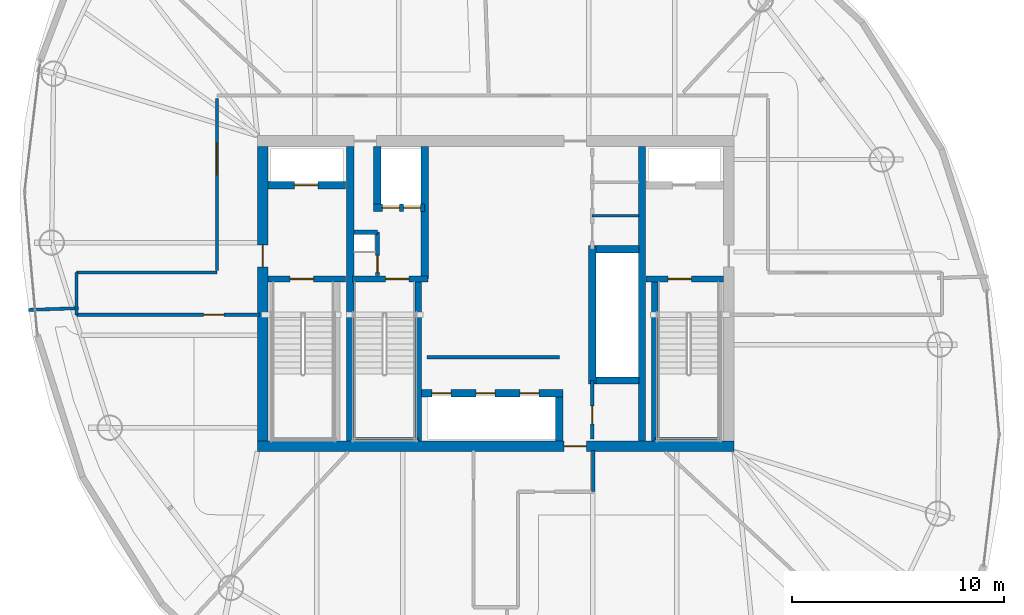
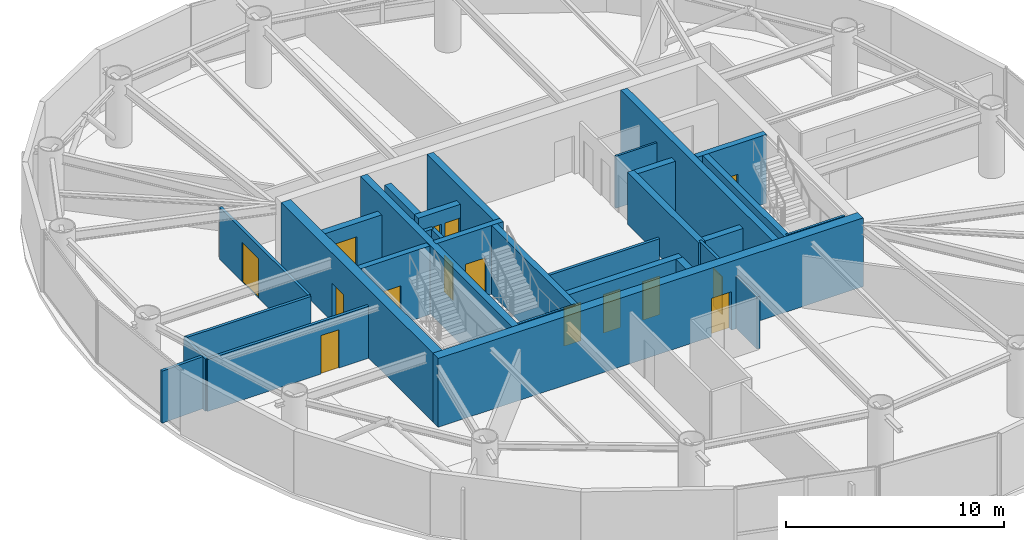
# One storey, part 13 of 18: 31 walls, 15 doors, 15 openings.
"""IFC4 building model written with IfcOpenShell, lengths in metres."""

from ifc_helpers import new_model, si_unit, direction, frame, frame_2d, origin, place, context, subcontext, project, spatial, rectangle, extrude, material, layer, layer_set, type_object, element, fill, save


model = new_model("IFC4")

# Units and contexts
model_context = context("Model", 3, precision=1e-05, world=origin(), true_north=direction((0.0, 1.0)))
body_context = subcontext(model_context, "Body", "Model", "MODEL_VIEW")
ifc_project = project(units=[si_unit("LENGTHUNIT", "METRE"), si_unit("AREAUNIT", "SQUARE_METRE"), si_unit("VOLUMEUNIT", "CUBIC_METRE"), si_unit("PLANEANGLEUNIT", "RADIAN"), si_unit("MASSUNIT", "GRAM", prefix="KILO")], contexts=[model_context])

# Site, building, storey
site_placement = place(None, origin())
site = spatial("IfcSite", under=ifc_project, at=site_placement, CompositionType="ELEMENT")
building_placement = place(site_placement, origin())
building = spatial("IfcBuilding", under=site, at=building_placement, Name="Bramvorn Convention Spire", CompositionType="ELEMENT")
storey_placement = place(building_placement, frame((0.0, 0.0, 232.800048828125)))
storey = spatial("IfcBuildingStorey", under=building, at=storey_placement, Name="L59", CompositionType="ELEMENT", Elevation=232.800048828125)

# Wall, opening, door
ifc_material_1 = material(Name="Concrete C50/60", Category="concrete")
ifc_layer_1 = layer(ifc_material_1, 0.5)
ifc_layer_set_1 = layer_set([ifc_layer_1], Name="Concrete C50/60 - WL-CORE-500")
wall_type_1 = type_object("IfcWallType", Name="WL-CORE-500", PredefinedType="SHEAR", material=ifc_layer_set_1)
wall_1_placement = place(storey_placement, frame((26.75, 18.800048828125, 0.0), z_axis=(0.0, 0.0, 1.0), x_axis=(1.0, 0.0, 0.0)))
wall_1 = element("IfcWall", 1, at=wall_1_placement, inside=storey, type_object=wall_type_1, Name="L59 South RC core shear wall", PredefinedType="SHEAR", context=body_context, shape_type="SweptSolid", body=[
    extrude(rectangle(XDim=22.5, YDim=0.5, at=frame_2d((11.25, 0.0))), origin(), (0.0, 0.0, 1.0), 3.849853515625),
])
opening_1_placement = place(wall_1_placement, frame((14.469970703125, 0.0, 0.0)))
opening_1 = element("IfcOpeningElement", 2, at=opening_1_placement, cuts=wall_1, Name="Opening DL-105", PredefinedType="OPENING", context=body_context, shape_type="SweptSolid", body=[
    extrude(rectangle(XDim=1.050048828125, YDim=2.14990234375, at=frame_2d((0.52490234375, 1.074951171875))), frame((0.0, 0.260009765625, 0.0), z_axis=(0.0, -1.0, 0.0), x_axis=(1.0, 0.0, 0.0)), (0.0, 0.0, 1.0), 0.52001953125),
])
ifc_material_2 = material(Name="Smoke-Sealed Fire Lobby Timber-Core Door", Category="wood")
door_type_1 = type_object("IfcDoorType", Name="DR-LOBBY-1050", OperationType="NOTDEFINED", PredefinedType="DOOR", material=ifc_material_2)
door_1_placement = place(opening_1_placement, origin())
door_1 = element("IfcDoor", 3, at=door_1_placement, inside=storey, type_object=door_type_1, Name="L59 South Lift Lobby fire door", OperationType="SINGLE_SWING_RIGHT", OverallHeight=2.14990234375, OverallWidth=1.050048828125, PredefinedType="DOOR", context=body_context, shape_type="SweptSolid", body=[
    extrude(rectangle(XDim=1.050048828125, YDim=2.14990234375, at=frame_2d((0.52490234375, 1.074951171875))), frame((0.0, 0.02490234375, 0.0), z_axis=(0.0, -1.0, 0.0), x_axis=(1.0, 0.0, 0.0)), (0.0, 0.0, 1.0), 0.050048828125),
])
fill(opening_1, door_1)

wall_2_placement = place(storey_placement, frame((27.0, 19.050048828125, 0.0), z_axis=(0.0, 0.0, 1.0), x_axis=(0.0, 1.0, 0.0)))
wall_2 = element("IfcWall", 4, at=wall_2_placement, inside=storey, type_object=wall_type_1, Name="L59 West RC core shear wall", PredefinedType="SHEAR", context=body_context, shape_type="SweptSolid", body=[
    extrude(rectangle(XDim=13.89990234375, YDim=0.5, at=frame_2d((6.949951171875, 0.0))), origin(), (0.0, 0.0, 1.0), 3.849853515625),
])
opening_2_placement = place(wall_2_placement, frame((8.199951171875, 0.0, 0.0)))
opening_2 = element("IfcOpeningElement", 5, at=opening_2_placement, cuts=wall_2, Name="Opening DL-105", PredefinedType="OPENING", context=body_context, shape_type="SweptSolid", body=[
    extrude(rectangle(XDim=1.050048828125, YDim=2.14990234375, at=frame_2d((0.52490234375, 1.074951171875))), frame((0.0, 0.260009765625, 0.0), z_axis=(0.0, -1.0, 0.0), x_axis=(1.0, 0.0, 0.0)), (0.0, 0.0, 1.0), 0.52001953125),
])
door_2_placement = place(opening_2_placement, origin())
door_2 = element("IfcDoor", 6, at=door_2_placement, inside=storey, type_object=door_type_1, Name="L59 West Firefighting Lobby corridor door", OperationType="SINGLE_SWING_RIGHT", OverallHeight=2.14990234375, OverallWidth=1.050048828125, PredefinedType="DOOR", context=body_context, shape_type="SweptSolid", body=[
    extrude(rectangle(XDim=1.050048828125, YDim=2.14990234375, at=frame_2d((0.52490234375, 1.074951171875))), frame((0.0, 0.02490234375, 0.0), z_axis=(0.0, -1.0, 0.0), x_axis=(1.0, 0.0, 0.0)), (0.0, 0.0, 1.0), 0.050048828125),
])
fill(opening_2, door_2)

# Walls
ifc_layer_2 = layer(ifc_material_1, 0.35009765625)
ifc_layer_set_2 = layer_set([ifc_layer_2], Name="Concrete C50/60 - WL-CORE-INT-350")
wall_type_2 = type_object("IfcWallType", Name="WL-CORE-INT-350", PredefinedType="SHEAR", material=ifc_layer_set_2)
for number, where, z_axis, x_axis, name in (
    (7, (31.1298828125, 19.050048828125, 0.0), (0.0, 0.0, 1.0), (0.0, 1.0, 0.0), "L59 West internal core shear web"),
    (8, (44.89990234375, 19.050048828125, 0.0), (0.0, 0.0, 1.0), (0.0, 1.0, 0.0), "L59 East internal core shear web"),
):
    element("IfcWall", number, at=place(storey_placement, frame(where, z_axis=z_axis, x_axis=x_axis)), inside=storey, type_object=wall_type_2, Name=name, PredefinedType="SHEAR", context=body_context, shape_type="SweptSolid", body=[
        extrude(rectangle(XDim=13.89990234375, YDim=0.35009765625, at=frame_2d((6.949951171875, 0.0))), origin(), (0.0, 0.0, 1.0), 3.849853515625),
    ])

# Wall, opening, door
wall_3_placement = place(storey_placement, frame((27.25, 31.1201171875, 0.0), z_axis=(0.0, 0.0, 1.0), x_axis=(1.0, 0.0, 0.0)))
wall_3 = element("IfcWall", 9, at=wall_3_placement, inside=storey, type_object=wall_type_2, Name="L59 FE1 shaft front wall", PredefinedType="SHEAR", context=body_context, shape_type="SweptSolid", body=[
    extrude(rectangle(XDim=3.669921875, YDim=0.35009765625, at=frame_2d((1.8349609375, 0.0))), origin(), (0.0, 0.0, 1.0), 2.9150390625),
])
opening_3_placement = place(wall_3_placement, frame((1.25, 0.0, 0.0)))
opening_3 = element("IfcOpeningElement", 10, at=opening_3_placement, cuts=wall_3, Name="Opening LD-110", PredefinedType="OPENING", context=body_context, shape_type="SweptSolid", body=[
    extrude(rectangle(XDim=1.10009765625, YDim=2.14990234375, at=frame_2d((0.550048828125, 1.074951171875))), frame((0.0, 0.18505859375, 0.0), z_axis=(0.0, -1.0, 0.0), x_axis=(1.0, 0.0, 0.0)), (0.0, 0.0, 1.0), 0.3701171875),
])
ifc_material_3 = material(Name="Firefighting & Service Lift Sliding Landing Door", Category="steel")
door_type_2 = type_object("IfcDoorType", Name="DR-LIFT-LD-1100", OperationType="NOTDEFINED", PredefinedType="DOOR", material=ifc_material_3)
door_3_placement = place(opening_3_placement, origin())
door_3 = element("IfcDoor", 11, at=door_3_placement, inside=storey, type_object=door_type_2, Name="L59 Lift FE1 Sliding Landing Door", OperationType="SLIDING_TO_LEFT", OverallHeight=2.14990234375, OverallWidth=1.10009765625, PredefinedType="DOOR", context=body_context, shape_type="SweptSolid", body=[
    extrude(rectangle(XDim=1.10009765625, YDim=2.14990234375, at=frame_2d((0.550048828125, 1.074951171875))), frame((0.0, 0.02490234375, 0.0), z_axis=(0.0, -1.0, 0.0), x_axis=(1.0, 0.0, 0.0)), (0.0, 0.0, 1.0), 0.050048828125),
])
fill(opening_3, door_3)

# Wall
wall_4_placement = place(storey_placement, frame((34.639892578125, 26.68994140625, 0.0), z_axis=(0.0, 0.0, 1.0), x_axis=(0.0, 1.0, 0.0)))
element("IfcWall", 12, at=wall_4_placement, inside=storey, type_object=wall_type_2, Name="L59 SV east core shaft wall", PredefinedType="SHEAR", context=body_context, shape_type="SweptSolid", body=[
    extrude(rectangle(XDim=6.260009765625, YDim=0.35009765625, at=frame_2d((3.1298828125, 0.0))), origin(), (0.0, 0.0, 1.0), 3.849853515625),
])

# Wall, openings, doors
wall_5_placement = place(storey_placement, frame((32.22998046875, 30.050048828125, 0.0), z_axis=(0.0, 0.0, 1.0), x_axis=(1.0, 0.0, 0.0)))
wall_5 = element("IfcWall", 13, at=wall_5_placement, inside=storey, type_object=wall_type_2, Name="L59 SV1/SV2 shaft front wall", PredefinedType="SHEAR", context=body_context, shape_type="SweptSolid", body=[
    extrude(rectangle(XDim=2.409912109375, YDim=0.35009765625, at=frame_2d((1.205078125, 0.0))), origin(), (0.0, 0.0, 1.0), 2.9150390625),
])
opening_4_placement = place(wall_5_placement, frame((0.419921875, 0.0, 0.0)))
opening_4 = element("IfcOpeningElement", 14, at=opening_4_placement, cuts=wall_5, Name="Opening LD-080", PredefinedType="OPENING", context=body_context, shape_type="SweptSolid", body=[
    extrude(rectangle(XDim=0.800048828125, YDim=2.14990234375, at=frame_2d((0.39990234375, 1.074951171875))), frame((0.0, 0.18505859375, 0.0), z_axis=(0.0, -1.0, 0.0), x_axis=(1.0, 0.0, 0.0)), (0.0, 0.0, 1.0), 0.3701171875),
])
opening_5_placement = place(wall_5_placement, frame((1.419921875, 0.0, 0.0)))
opening_5 = element("IfcOpeningElement", 15, at=opening_5_placement, cuts=wall_5, Name="Opening LD-080", PredefinedType="OPENING", context=body_context, shape_type="SweptSolid", body=[
    extrude(rectangle(XDim=0.800048828125, YDim=2.14990234375, at=frame_2d((0.39990234375, 1.074951171875))), frame((0.0, 0.18505859375, 0.0), z_axis=(0.0, -1.0, 0.0), x_axis=(1.0, 0.0, 0.0)), (0.0, 0.0, 1.0), 0.3701171875),
])
ifc_material_4 = material(Name="Service Lift Bi-Parting Landing Door", Category="steel")
door_type_3 = type_object("IfcDoorType", Name="DR-LIFT-LD-800", OperationType="NOTDEFINED", PredefinedType="DOOR", material=ifc_material_4)
door_4_placement = place(opening_4_placement, origin())
door_4 = element("IfcDoor", 16, at=door_4_placement, inside=storey, type_object=door_type_3, Name="L59 Lift SV1 Sliding Landing Door", OperationType="SLIDING_TO_LEFT", OverallHeight=2.14990234375, OverallWidth=0.800048828125, PredefinedType="DOOR", context=body_context, shape_type="SweptSolid", body=[
    extrude(rectangle(XDim=0.800048828125, YDim=2.14990234375, at=frame_2d((0.39990234375, 1.074951171875))), frame((0.0, 0.02490234375, 0.0), z_axis=(0.0, -1.0, 0.0), x_axis=(1.0, 0.0, 0.0)), (0.0, 0.0, 1.0), 0.050048828125),
])
fill(opening_4, door_4)
door_5_placement = place(opening_5_placement, origin())
door_5 = element("IfcDoor", 17, at=door_5_placement, inside=storey, type_object=door_type_3, Name="L59 Lift SV2 Sliding Landing Door", OperationType="SLIDING_TO_LEFT", OverallHeight=2.14990234375, OverallWidth=0.800048828125, PredefinedType="DOOR", context=body_context, shape_type="SweptSolid", body=[
    extrude(rectangle(XDim=0.800048828125, YDim=2.14990234375, at=frame_2d((0.39990234375, 1.074951171875))), frame((0.0, 0.02490234375, 0.0), z_axis=(0.0, -1.0, 0.0), x_axis=(1.0, 0.0, 0.0)), (0.0, 0.0, 1.0), 0.050048828125),
])
fill(opening_5, door_5)

# Walls
wall_6_placement = place(storey_placement, frame((32.39990234375, 30.219970703125, 0.0), z_axis=(0.0, 0.0, 1.0), x_axis=(0.0, 1.0, 0.0)))
element("IfcWall", 18, at=wall_6_placement, inside=storey, type_object=wall_type_2, Name="L59 SV1 west hoistway wall", PredefinedType="SHEAR", context=body_context, shape_type="SweptSolid", body=[
    extrude(rectangle(XDim=2.72998046875, YDim=0.35009765625, at=frame_2d((1.364990234375, 0.0))), origin(), (0.0, 0.0, 1.0), 2.9150390625),
])
wall_7_placement = place(storey_placement, frame((42.550048828125, 21.72998046875, 0.0), z_axis=(0.0, 0.0, 1.0), x_axis=(0.0, 1.0, 0.0)))
element("IfcWall", 19, at=wall_7_placement, inside=storey, type_object=wall_type_2, Name="L59 High-rise lift bank west wall", PredefinedType="SHEAR", context=body_context, shape_type="SweptSolid", body=[
    extrude(rectangle(XDim=6.5400390625, YDim=0.35009765625, at=frame_2d((3.27001953125, 0.0))), origin(), (0.0, 0.0, 1.0), 2.9150390625),
])
for number, where, z_axis, x_axis, name in (
    (20, (42.719970703125, 21.89990234375, 0.0), (0.0, 0.0, 1.0), (1.0, 0.0, 0.0), "L59 High-rise lift bank south wall"),
    (21, (42.719970703125, 28.10009765625, 0.0), (0.0, 0.0, 1.0), (1.0, 0.0, 0.0), "L59 High-rise lift bank north wall"),
):
    element("IfcWall", number, at=place(storey_placement, frame(where, z_axis=z_axis, x_axis=x_axis)), inside=storey, type_object=wall_type_2, Name=name, PredefinedType="SHEAR", context=body_context, shape_type="SweptSolid", body=[
        extrude(rectangle(XDim=2.030029296875, YDim=0.35009765625, at=frame_2d((1.01513671875, 0.0))), origin(), (0.0, 0.0, 1.0), 2.9150390625),
    ])

# Wall, openings, doors
wall_8_placement = place(storey_placement, frame((34.489990234375, 21.300048828125, 0.0), z_axis=(0.0, 0.0, 1.0), x_axis=(1.0, 0.0, 0.0)))
wall_8 = element("IfcWall", 22, at=wall_8_placement, inside=storey, type_object=wall_type_2, Name="L59 Mid-rise bank north landing wall", PredefinedType="SHEAR", context=body_context, shape_type="SweptSolid", body=[
    extrude(rectangle(XDim=6.679931640625, YDim=0.35009765625, at=frame_2d((3.33984375, 0.0))), origin(), (0.0, 0.0, 1.0), 2.9150390625),
])
opening_6_placement = place(wall_8_placement, frame((0.5, 0.0, 0.0)))
opening_6 = element("IfcOpeningElement", 23, at=opening_6_placement, cuts=wall_8, Name="Opening LD-090", PredefinedType="OPENING", context=body_context, shape_type="SweptSolid", body=[
    extrude(rectangle(XDim=0.89990234375, YDim=2.14990234375, at=frame_2d((0.449951171875, 1.074951171875))), frame((0.0, 0.18505859375, 0.0), z_axis=(0.0, -1.0, 0.0), x_axis=(1.0, 0.0, 0.0)), (0.0, 0.0, 1.0), 0.3701171875),
])
opening_7_placement = place(wall_8_placement, frame((2.580078125, 0.0, 0.0)))
opening_7 = element("IfcOpeningElement", 24, at=opening_7_placement, cuts=wall_8, Name="Opening LD-090", PredefinedType="OPENING", context=body_context, shape_type="SweptSolid", body=[
    extrude(rectangle(XDim=0.89990234375, YDim=2.14990234375, at=frame_2d((0.449951171875, 1.074951171875))), frame((0.0, 0.18505859375, 0.0), z_axis=(0.0, -1.0, 0.0), x_axis=(1.0, 0.0, 0.0)), (0.0, 0.0, 1.0), 0.3701171875),
])
opening_8_placement = place(wall_8_placement, frame((4.659912109375, 0.0, 0.0)))
opening_8 = element("IfcOpeningElement", 25, at=opening_8_placement, cuts=wall_8, Name="Opening LD-090", PredefinedType="OPENING", context=body_context, shape_type="SweptSolid", body=[
    extrude(rectangle(XDim=0.89990234375, YDim=2.14990234375, at=frame_2d((0.449951171875, 1.074951171875))), frame((0.0, 0.18505859375, 0.0), z_axis=(0.0, -1.0, 0.0), x_axis=(1.0, 0.0, 0.0)), (0.0, 0.0, 1.0), 0.3701171875),
])
ifc_material_5 = material(Name="Bi-Parting Fire-Rated Lift Landing Door", Category="steel")
door_type_4 = type_object("IfcDoorType", Name="DR-LIFT-LD-900", OperationType="NOTDEFINED", PredefinedType="DOOR", material=ifc_material_5)
door_6_placement = place(opening_6_placement, origin())
door_6 = element("IfcDoor", 26, at=door_6_placement, inside=storey, type_object=door_type_4, Name="L59 Lift PM1 Sliding Landing Door", OperationType="SLIDING_TO_LEFT", OverallHeight=2.14990234375, OverallWidth=0.89990234375, PredefinedType="DOOR", context=body_context, shape_type="SweptSolid", body=[
    extrude(rectangle(XDim=0.89990234375, YDim=2.14990234375, at=frame_2d((0.449951171875, 1.074951171875))), frame((0.0, 0.02490234375, 0.0), z_axis=(0.0, -1.0, 0.0), x_axis=(1.0, 0.0, 0.0)), (0.0, 0.0, 1.0), 0.050048828125),
])
fill(opening_6, door_6)
door_7_placement = place(opening_7_placement, origin())
door_7 = element("IfcDoor", 27, at=door_7_placement, inside=storey, type_object=door_type_4, Name="L59 Lift PM2 Sliding Landing Door", OperationType="SLIDING_TO_LEFT", OverallHeight=2.14990234375, OverallWidth=0.89990234375, PredefinedType="DOOR", context=body_context, shape_type="SweptSolid", body=[
    extrude(rectangle(XDim=0.89990234375, YDim=2.14990234375, at=frame_2d((0.449951171875, 1.074951171875))), frame((0.0, 0.02490234375, 0.0), z_axis=(0.0, -1.0, 0.0), x_axis=(1.0, 0.0, 0.0)), (0.0, 0.0, 1.0), 0.050048828125),
])
fill(opening_7, door_7)
door_8_placement = place(opening_8_placement, origin())
door_8 = element("IfcDoor", 28, at=door_8_placement, inside=storey, type_object=door_type_4, Name="L59 Lift PM3 Sliding Landing Door", OperationType="SLIDING_TO_LEFT", OverallHeight=2.14990234375, OverallWidth=0.89990234375, PredefinedType="DOOR", context=body_context, shape_type="SweptSolid", body=[
    extrude(rectangle(XDim=0.89990234375, YDim=2.14990234375, at=frame_2d((0.449951171875, 1.074951171875))), frame((0.0, 0.02490234375, 0.0), z_axis=(0.0, -1.0, 0.0), x_axis=(1.0, 0.0, 0.0)), (0.0, 0.0, 1.0), 0.050048828125),
])
fill(opening_8, door_8)

# Walls
wall_9_placement = place(storey_placement, frame((41.0, 19.050048828125, 0.0), z_axis=(0.0, 0.0, 1.0), x_axis=(0.0, 1.0, 0.0)))
element("IfcWall", 29, at=wall_9_placement, inside=storey, type_object=wall_type_2, Name="L59 Mid-rise bank east cheek wall", PredefinedType="SHEAR", context=body_context, shape_type="SweptSolid", body=[
    extrude(rectangle(XDim=2.079833984375, YDim=0.35009765625, at=frame_2d((1.0400390625, 0.0))), origin(), (0.0, 0.0, 1.0), 2.9150390625),
])
ifc_material_6 = material(Name="Lightweight En-Suite & Wet-Wall Partition", Category="gypsum")
ifc_layer_3 = layer(ifc_material_6, 0.110107421875)
ifc_layer_set_3 = layer_set([ifc_layer_3], Name="Lightweight En-Suite & Wet-Wall Partition - WL-PART-110")
wall_type_3 = type_object("IfcWallType", Name="WL-PART-110", PredefinedType="PARTITIONING", material=ifc_layer_set_3)
wall_10_placement = place(storey_placement, frame((42.550048828125, 29.679931640625, 0.0), z_axis=(0.0, 0.0, 1.0), x_axis=(1.0, 0.0, 0.0)))
element("IfcWall", 30, at=wall_10_placement, inside=storey, type_object=wall_type_3, Name="L59 KC NE div 1", PredefinedType="PARTITIONING", context=body_context, shape_type="SweptSolid", body=[
    extrude(rectangle(XDim=2.199951171875, YDim=0.110107421875, at=frame_2d((1.10009765625, 0.0))), origin(), (0.0, 0.0, 1.0), 2.9150390625),
])
ifc_material_7 = material(Name="Acoustic Metal-Stud Tenant/Corridor Partition", Category="gypsum")
ifc_layer_4 = layer(ifc_material_7, 0.14990234375)
ifc_layer_set_4 = layer_set([ifc_layer_4], Name="Acoustic Metal-Stud Tenant/Corridor Partition - WL-PART-150")
wall_type_4 = type_object("IfcWallType", Name="WL-PART-150", PredefinedType="PARTITIONING", material=ifc_layer_set_4)
wall_11_placement = place(storey_placement, frame((34.75, 23.0, 0.0), z_axis=(0.0, 0.0, 1.0), x_axis=(1.0, 0.0, 0.0)))
element("IfcWall", 31, at=wall_11_placement, inside=storey, type_object=wall_type_4, Name="L59 Mid-rise lift vestibule north wall", PredefinedType="PARTITIONING", context=body_context, shape_type="SweptSolid", body=[
    extrude(rectangle(XDim=6.25, YDim=0.14990234375, at=frame_2d((3.125, 0.0))), origin(), (0.0, 0.0, 1.0), 2.9150390625),
])

# Wall, opening, door
wall_12_placement = place(storey_placement, frame((42.550048828125, 19.14990234375, 0.0), z_axis=(0.0, 0.0, 1.0), x_axis=(0.0, 1.0, 0.0)))
wall_12 = element("IfcWall", 32, at=wall_12_placement, inside=storey, type_object=wall_type_4, Name="L59 KC SE wall", PredefinedType="PARTITIONING", context=body_context, shape_type="SweptSolid", body=[
    extrude(rectangle(XDim=2.75, YDim=0.14990234375, at=frame_2d((1.375, 0.0))), origin(), (0.0, 0.0, 1.0), 2.9150390625),
])
opening_9_placement = place(wall_12_placement, frame((0.699951171875, 0.0, 0.0)))
opening_9 = element("IfcOpeningElement", 33, at=opening_9_placement, cuts=wall_12, Name="Opening DC-085", PredefinedType="OPENING", context=body_context, shape_type="SweptSolid", body=[
    extrude(rectangle(XDim=0.85009765625, YDim=2.10009765625, at=frame_2d((0.425048828125, 1.050048828125))), frame((0.0, 0.0849609375, 0.0), z_axis=(0.0, -1.0, 0.0), x_axis=(1.0, 0.0, 0.0)), (0.0, 0.0, 1.0), 0.169921875),
])
ifc_material_8 = material(Name="Fire-Rated Core Washroom & IDF Door", Category="wood")
door_type_5 = type_object("IfcDoorType", Name="DR-CORE-850", OperationType="NOTDEFINED", PredefinedType="DOOR", material=ifc_material_8)
door_9_placement = place(opening_9_placement, origin())
door_9 = element("IfcDoor", 34, at=door_9_placement, inside=storey, type_object=door_type_5, Name="L59 Core Valve & Riser Room door", OperationType="SINGLE_SWING_LEFT", OverallHeight=2.10009765625, OverallWidth=0.85009765625, PredefinedType="DOOR", context=body_context, shape_type="SweptSolid", body=[
    extrude(rectangle(XDim=0.85009765625, YDim=2.10009765625, at=frame_2d((0.425048828125, 1.050048828125))), frame((0.0, 0.02490234375, 0.0), z_axis=(0.0, -1.0, 0.0), x_axis=(1.0, 0.0, 0.0)), (0.0, 0.0, 1.0), 0.050048828125),
])
fill(opening_9, door_9)

wall_13_placement = place(storey_placement, frame((24.85009765625, 27.080078125, 0.0), z_axis=(0.0, 0.0, 1.0), x_axis=(0.0, 1.0, 0.0)))
wall_13 = element("IfcWall", 35, at=wall_13_placement, inside=storey, type_object=wall_type_4, Name="L59 NW gallery cheek", PredefinedType="PARTITIONING", context=body_context, shape_type="SweptSolid", body=[
    extrude(rectangle(XDim=8.119873046875, YDim=0.14990234375, at=frame_2d((4.06005859375, 0.0))), origin(), (0.0, 0.0, 1.0), 2.9150390625),
])
opening_10_placement = place(wall_13_placement, frame((4.528076171875, 0.0, 0.0)))
opening_10 = element("IfcOpeningElement", 36, at=opening_10_placement, cuts=wall_13, Name="Opening DC-150", PredefinedType="OPENING", context=body_context, shape_type="SweptSolid", body=[
    extrude(rectangle(XDim=1.5, YDim=2.199951171875, at=frame_2d((0.75, 1.10009765625))), frame((0.0, 0.0849609375, 0.0), z_axis=(0.0, -1.0, 0.0), x_axis=(1.0, 0.0, 0.0)), (0.0, 0.0, 1.0), 0.169921875),
])
ifc_material_9 = material(Name="Double-Leaf Smoke-Control Corridor Door", Category="wood")
door_type_6 = type_object("IfcDoorType", Name="DR-COR-1500", OperationType="NOTDEFINED", PredefinedType="DOOR", material=ifc_material_9)
door_10_placement = place(opening_10_placement, origin())
door_10 = element("IfcDoor", 37, at=door_10_placement, inside=storey, type_object=door_type_6, Name="L59 Trader Dining Cafe 2 4 door", OperationType="DOUBLE_DOOR_SINGLE_SWING", OverallHeight=2.199951171875, OverallWidth=1.5, PredefinedType="DOOR", context=body_context, shape_type="SweptSolid", body=[
    extrude(rectangle(XDim=1.5, YDim=2.199951171875, at=frame_2d((0.75, 1.10009765625))), frame((0.0, 0.02490234375, 0.0), z_axis=(0.0, -1.0, 0.0), x_axis=(1.0, 0.0, 0.0)), (0.0, 0.0, 1.0), 0.050048828125),
])
fill(opening_10, door_10)

# Wall
wall_14_placement = place(storey_placement, frame((18.21630859375, 27.0, 0.0), z_axis=(0.0, 0.0, 1.0), x_axis=(1.0, 0.0, 0.0)))
element("IfcWall", 38, at=wall_14_placement, inside=storey, type_object=wall_type_4, Name="L59 West wing spine north wall", PredefinedType="PARTITIONING", context=body_context, shape_type="SweptSolid", body=[
    extrude(rectangle(XDim=6.6337890625, YDim=0.14990234375, at=frame_2d((3.31689453125, 0.0))), origin(), (0.0, 0.0, 1.0), 2.9150390625),
])

# Wall, opening, door
wall_15_placement = place(storey_placement, frame((18.21630859375, 25.0, 0.0), z_axis=(0.0, 0.0, 1.0), x_axis=(1.0, 0.0, 0.0)))
wall_15 = element("IfcWall", 39, at=wall_15_placement, inside=storey, type_object=wall_type_4, Name="L59 West wing spine south wall", PredefinedType="PARTITIONING", context=body_context, shape_type="SweptSolid", body=[
    extrude(rectangle(XDim=8.6337890625, YDim=0.14990234375, at=frame_2d((4.31689453125, 0.0))), origin(), (0.0, 0.0, 1.0), 2.9150390625),
])
opening_11_placement = place(wall_15_placement, frame((6.000244140625, 0.0, 0.0)))
opening_11 = element("IfcOpeningElement", 40, at=opening_11_placement, cuts=wall_15, Name="Opening DH-095", PredefinedType="OPENING", context=body_context, shape_type="SweptSolid", body=[
    extrude(rectangle(XDim=0.949951171875, YDim=2.14990234375, at=frame_2d((0.47509765625, 1.074951171875))), frame((0.0, 0.0849609375, 0.0), z_axis=(0.0, -1.0, 0.0), x_axis=(1.0, 0.0, 0.0)), (0.0, 0.0, 1.0), 0.169921875),
])
ifc_material_10 = material(Name="Solid-Core Acoustic Guestroom Entry Door", Category="wood")
door_type_7 = type_object("IfcDoorType", Name="DR-HOTEL-950", OperationType="NOTDEFINED", PredefinedType="DOOR", material=ifc_material_10)
door_11_placement = place(opening_11_placement, origin())
door_11 = element("IfcDoor", 41, at=door_11_placement, inside=storey, type_object=door_type_7, Name="L59 Galley Kitchen 5 door", OperationType="SINGLE_SWING_LEFT", OverallHeight=2.14990234375, OverallWidth=0.949951171875, PredefinedType="DOOR", context=body_context, shape_type="SweptSolid", body=[
    extrude(rectangle(XDim=0.949951171875, YDim=2.14990234375, at=frame_2d((0.47509765625, 1.074951171875))), frame((0.0, 0.02490234375, 0.0), z_axis=(0.0, -1.0, 0.0), x_axis=(1.0, 0.0, 0.0)), (0.0, 0.0, 1.0), 0.050048828125),
])
fill(opening_11, door_11)

# Walls
wall_16_placement = place(storey_placement, frame((18.21630859375, 25.0, 0.0), z_axis=(0.0, 0.0, 1.0), x_axis=(0.0, 1.0, 0.0)))
element("IfcWall", 42, at=wall_16_placement, inside=storey, type_object=wall_type_4, Name="L59 West wing spine end wall", PredefinedType="PARTITIONING", context=body_context, shape_type="SweptSolid", body=[
    extrude(rectangle(XDim=2.0, YDim=0.14990234375, at=frame_2d((1.0, 0.0))), origin(), (0.0, 0.0, 1.0), 2.9150390625),
])
wall_17_placement = place(storey_placement, frame((42.60009765625, 16.64990234375, 0.0), z_axis=(0.0, 0.0, 1.0), x_axis=(0.0, 1.0, 0.0)))
element("IfcWall", 43, at=wall_17_placement, inside=storey, type_object=wall_type_4, Name="L59 South lift lobby east cheek", PredefinedType="PARTITIONING", context=body_context, shape_type="SweptSolid", body=[
    extrude(rectangle(XDim=1.9501953125, YDim=0.14990234375, at=frame_2d((0.97509765625, 0.0))), origin(), (0.0, 0.0, 1.0), 2.9150390625),
])
wall_18_placement = place(storey_placement, frame((18.3134765625, 25.3125, 0.0), z_axis=(0.0, 0.0, 1.0), x_axis=(-0.999389861653, -0.034927130217, 0.0)))
element("IfcWall", 44, at=wall_18_placement, inside=storey, type_object=wall_type_4, Name="L59 Tenant suite partition 5", PredefinedType="PARTITIONING", context=body_context, shape_type="SweptSolid", body=[
    extrude(rectangle(XDim=2.36962890625, YDim=0.14990234375, at=frame_2d((1.184814453125, 0.0))), origin(), (0.0, 0.0, 1.0), 2.9150390625),
])

# Wall, opening, door
ifc_material_11 = material(Name="Gypsum Shaftwall & Rockwool Core Partition", Category="gypsum")
ifc_layer_5 = layer(ifc_material_11, 0.199951171875)
ifc_layer_set_5 = layer_set([ifc_layer_5], Name="Gypsum Shaftwall & Rockwool Core Partition - WL-PART-200-FR")
wall_type_5 = type_object("IfcWallType", Name="WL-PART-200-FR", PredefinedType="PARTITIONING", material=ifc_layer_set_5)
wall_19_placement = place(storey_placement, frame((32.419921875, 26.860107421875, 0.0), z_axis=(0.0, 0.0, 1.0), x_axis=(0.0, 1.0, 0.0)))
wall_19 = element("IfcWall", 45, at=wall_19_placement, inside=storey, type_object=wall_type_5, Name="L59 Telecom riser east wall", PredefinedType="PARTITIONING", context=body_context, shape_type="SweptSolid", body=[
    extrude(rectangle(XDim=2.039794921875, YDim=0.199951171875, at=frame_2d((1.02001953125, 0.0))), origin(), (0.0, 0.0, 1.0), 2.9150390625),
])
opening_12_placement = place(wall_19_placement, frame((0.139892578125, 0.0, 0.0)))
opening_12 = element("IfcOpeningElement", 46, at=opening_12_placement, cuts=wall_19, Name="Opening DR-080", PredefinedType="OPENING", context=body_context, shape_type="SweptSolid", body=[
    extrude(rectangle(XDim=0.800048828125, YDim=2.050048828125, at=frame_2d((0.39990234375, 1.02490234375))), frame((0.0, 0.10986328125, 0.0), z_axis=(0.0, -1.0, 0.0), x_axis=(1.0, 0.0, 0.0)), (0.0, 0.0, 1.0), 0.219970703125),
])
ifc_material_12 = material(Name="Flush Steel Riser Access Door", Category="steel")
door_type_8 = type_object("IfcDoorType", Name="DR-RISER-800", OperationType="NOTDEFINED", PredefinedType="DOOR", material=ifc_material_12)
door_12_placement = place(opening_12_placement, origin())
door_12 = element("IfcDoor", 47, at=door_12_placement, inside=storey, type_object=door_type_8, Name="L59 Telecom riser access door", OperationType="SINGLE_SWING_RIGHT", OverallHeight=2.050048828125, OverallWidth=0.800048828125, PredefinedType="DOOR", context=body_context, shape_type="SweptSolid", body=[
    extrude(rectangle(XDim=0.800048828125, YDim=2.050048828125, at=frame_2d((0.39990234375, 1.02490234375))), frame((0.0, 0.02490234375, 0.0), z_axis=(0.0, -1.0, 0.0), x_axis=(1.0, 0.0, 0.0)), (0.0, 0.0, 1.0), 0.050048828125),
])
fill(opening_12, door_12)

# Wall
wall_20_placement = place(storey_placement, frame((31.300048828125, 28.89990234375, 0.0), z_axis=(0.0, 0.0, 1.0), x_axis=(1.0, 0.0, 0.0)))
element("IfcWall", 48, at=wall_20_placement, inside=storey, type_object=wall_type_5, Name="L59 Telecom riser north wall", PredefinedType="PARTITIONING", context=body_context, shape_type="SweptSolid", body=[
    extrude(rectangle(XDim=1.119873046875, YDim=0.199951171875, at=frame_2d((0.56005859375, 0.0))), origin(), (0.0, 0.0, 1.0), 2.9150390625),
])

# Wall, opening, door
ifc_layer_6 = layer(ifc_material_1, 0.300048828125)
ifc_layer_set_6 = layer_set([ifc_layer_6], Name="Concrete C50/60 - WL-POD-STAIR-300")
wall_type_6 = type_object("IfcWallType", Name="WL-POD-STAIR-300", PredefinedType="SHEAR", material=ifc_layer_set_6)
wall_21_placement = place(storey_placement, frame((27.25, 26.68994140625, 0.0), z_axis=(0.0, 0.0, 1.0), x_axis=(1.0, 0.0, 0.0)))
wall_21 = element("IfcWall", 49, at=wall_21_placement, inside=storey, type_object=wall_type_6, Name="L59 ST1 north fire wall", PredefinedType="SHEAR", context=body_context, shape_type="SweptSolid", body=[
    extrude(rectangle(XDim=3.669921875, YDim=0.300048828125, at=frame_2d((1.8349609375, 0.0))), origin(), (0.0, 0.0, 1.0), 3.849853515625),
])
opening_13_placement = place(wall_21_placement, frame((1.050048828125, 0.0, 0.0)))
opening_13 = element("IfcOpeningElement", 50, at=opening_13_placement, cuts=wall_21, Name="Opening DS-110", PredefinedType="OPENING", context=body_context, shape_type="SweptSolid", body=[
    extrude(rectangle(XDim=1.10009765625, YDim=2.14990234375, at=frame_2d((0.550048828125, 1.074951171875))), frame((0.0, 0.159912109375, 0.0), z_axis=(0.0, -1.0, 0.0), x_axis=(1.0, 0.0, 0.0)), (0.0, 0.0, 1.0), 0.320068359375),
])
ifc_material_13 = material(Name="Fire-Rated Hollow Steel Stairwell Door", Category="steel")
door_type_9 = type_object("IfcDoorType", Name="DR-STAIR-1100", OperationType="NOTDEFINED", PredefinedType="DOOR", material=ifc_material_13)
door_13_placement = place(opening_13_placement, origin())
door_13 = element("IfcDoor", 51, at=door_13_placement, inside=storey, type_object=door_type_9, Name="L59 Stair ST1 fire door", OperationType="SINGLE_SWING_LEFT", OverallHeight=2.14990234375, OverallWidth=1.10009765625, PredefinedType="DOOR", context=body_context, shape_type="SweptSolid", body=[
    extrude(rectangle(XDim=1.10009765625, YDim=2.14990234375, at=frame_2d((0.550048828125, 1.074951171875))), frame((0.0, 0.02490234375, 0.0), z_axis=(0.0, -1.0, 0.0), x_axis=(1.0, 0.0, 0.0)), (0.0, 0.0, 1.0), 0.050048828125),
])
fill(opening_13, door_13)

wall_22_placement = place(storey_placement, frame((45.080078125, 26.68994140625, 0.0), z_axis=(0.0, 0.0, 1.0), x_axis=(1.0, 0.0, 0.0)))
wall_22 = element("IfcWall", 52, at=wall_22_placement, inside=storey, type_object=wall_type_6, Name="L59 ST2 north fire wall", PredefinedType="SHEAR", context=body_context, shape_type="SweptSolid", body=[
    extrude(rectangle(XDim=3.669921875, YDim=0.300048828125, at=frame_2d((1.8349609375, 0.0))), origin(), (0.0, 0.0, 1.0), 3.849853515625),
])
opening_14_placement = place(wall_22_placement, frame((1.050048828125, 0.0, 0.0)))
opening_14 = element("IfcOpeningElement", 53, at=opening_14_placement, cuts=wall_22, Name="Opening DS-110", PredefinedType="OPENING", context=body_context, shape_type="SweptSolid", body=[
    extrude(rectangle(XDim=1.10009765625, YDim=2.14990234375, at=frame_2d((0.550048828125, 1.074951171875))), frame((0.0, 0.159912109375, 0.0), z_axis=(0.0, -1.0, 0.0), x_axis=(1.0, 0.0, 0.0)), (0.0, 0.0, 1.0), 0.320068359375),
])
door_14_placement = place(opening_14_placement, origin())
door_14 = element("IfcDoor", 54, at=door_14_placement, inside=storey, type_object=door_type_9, Name="L59 Stair ST2 fire door", OperationType="SINGLE_SWING_RIGHT", OverallHeight=2.14990234375, OverallWidth=1.10009765625, PredefinedType="DOOR", context=body_context, shape_type="SweptSolid", body=[
    extrude(rectangle(XDim=1.10009765625, YDim=2.14990234375, at=frame_2d((0.550048828125, 1.074951171875))), frame((0.0, 0.02490234375, 0.0), z_axis=(0.0, -1.0, 0.0), x_axis=(1.0, 0.0, 0.0)), (0.0, 0.0, 1.0), 0.050048828125),
])
fill(opening_14, door_14)

# Walls
for number, where, z_axis, x_axis, name in (
    (55, (45.510009765625, 19.050048828125, 0.0), (0.0, 0.0, 1.0), (0.0, 1.0, 0.0), "L59 ST2 west bearing wall"),
    (56, (34.340087890625, 19.050048828125, 0.0), (0.0, 0.0, 1.0), (0.0, 1.0, 0.0), "L59 ST3 east bearing wall"),
):
    element("IfcWall", number, at=place(storey_placement, frame(where, z_axis=z_axis, x_axis=x_axis)), inside=storey, type_object=wall_type_6, Name=name, PredefinedType="SHEAR", context=body_context, shape_type="SweptSolid", body=[
        extrude(rectangle(XDim=7.5, YDim=0.300048828125, at=frame_2d((3.75, 0.0))), origin(), (0.0, 0.0, 1.0), 3.849853515625),
    ])

# Wall, opening, door
wall_23_placement = place(storey_placement, frame((31.25, 26.68994140625, 0.0), z_axis=(0.0, 0.0, 1.0), x_axis=(1.0, 0.0, 0.0)))
wall_23 = element("IfcWall", 57, at=wall_23_placement, inside=storey, type_object=wall_type_6, Name="L59 ST3 north lobby wall", PredefinedType="SHEAR", context=body_context, shape_type="SweptSolid", body=[
    extrude(rectangle(XDim=3.56005859375, YDim=0.300048828125, at=frame_2d((1.780029296875, 0.0))), origin(), (0.0, 0.0, 1.0), 3.849853515625),
])
opening_15_placement = place(wall_23_placement, frame((1.550048828125, 0.0, 0.0)))
opening_15 = element("IfcOpeningElement", 58, at=opening_15_placement, cuts=wall_23, Name="Opening DS-110", PredefinedType="OPENING", context=body_context, shape_type="SweptSolid", body=[
    extrude(rectangle(XDim=1.10009765625, YDim=2.14990234375, at=frame_2d((0.550048828125, 1.074951171875))), frame((0.0, 0.159912109375, 0.0), z_axis=(0.0, -1.0, 0.0), x_axis=(1.0, 0.0, 0.0)), (0.0, 0.0, 1.0), 0.320068359375),
])
door_15_placement = place(opening_15_placement, origin())
door_15 = element("IfcDoor", 59, at=door_15_placement, inside=storey, type_object=door_type_9, Name="L59 Stair ST3 fire door", OperationType="SINGLE_SWING_LEFT", OverallHeight=2.14990234375, OverallWidth=1.10009765625, PredefinedType="DOOR", context=body_context, shape_type="SweptSolid", body=[
    extrude(rectangle(XDim=1.10009765625, YDim=2.14990234375, at=frame_2d((0.550048828125, 1.074951171875))), frame((0.0, 0.02490234375, 0.0), z_axis=(0.0, -1.0, 0.0), x_axis=(1.0, 0.0, 0.0)), (0.0, 0.0, 1.0), 0.050048828125),
])
fill(opening_15, door_15)

# Walls
ifc_layer_7 = layer(ifc_material_1, 0.1201171875)
ifc_layer_set_7 = layer_set([ifc_layer_7], Name="Concrete C50/60 - WL-STAIR-RC-120")
wall_type_7 = type_object("IfcWallType", Name="WL-STAIR-RC-120", PredefinedType="SHEAR", material=ifc_layer_set_7)
wall_24_placement = place(storey_placement, frame((45.510009765625, 19.159912109375, 0.0), z_axis=(0.0, 0.0, 1.0), x_axis=(1.0, 0.0, 0.0)))
element("IfcWall", 60, at=wall_24_placement, inside=storey, type_object=wall_type_7, Name="L59 ST2 south bearing shear wall", PredefinedType="SHEAR", context=body_context, shape_type="SweptSolid", body=[
    extrude(rectangle(XDim=3.094970703125, YDim=0.1201171875, at=frame_2d((1.54736328125, 0.0))), origin(), (0.0, 0.0, 1.0), 3.849853515625),
])
wall_25_placement = place(storey_placement, frame((31.300048828125, 19.159912109375, 0.0), z_axis=(0.0, 0.0, 1.0), x_axis=(1.0, 0.0, 0.0)))
element("IfcWall", 61, at=wall_25_placement, inside=storey, type_object=wall_type_7, Name="L59 ST3 south bearing shear wall", PredefinedType="SHEAR", context=body_context, shape_type="SweptSolid", body=[
    extrude(rectangle(XDim=3.0400390625, YDim=0.1201171875, at=frame_2d((1.52001953125, 0.0))), origin(), (0.0, 0.0, 1.0), 3.849853515625),
])

save(model, "model.ifc")
